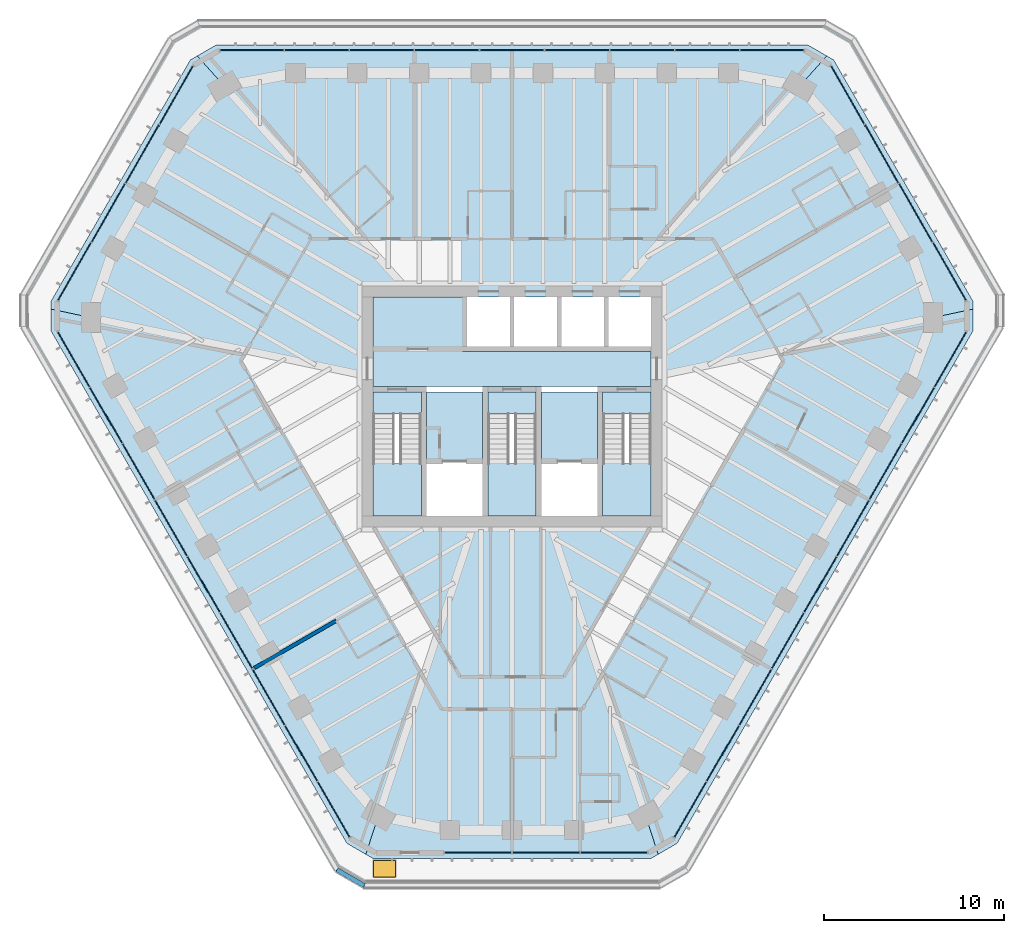
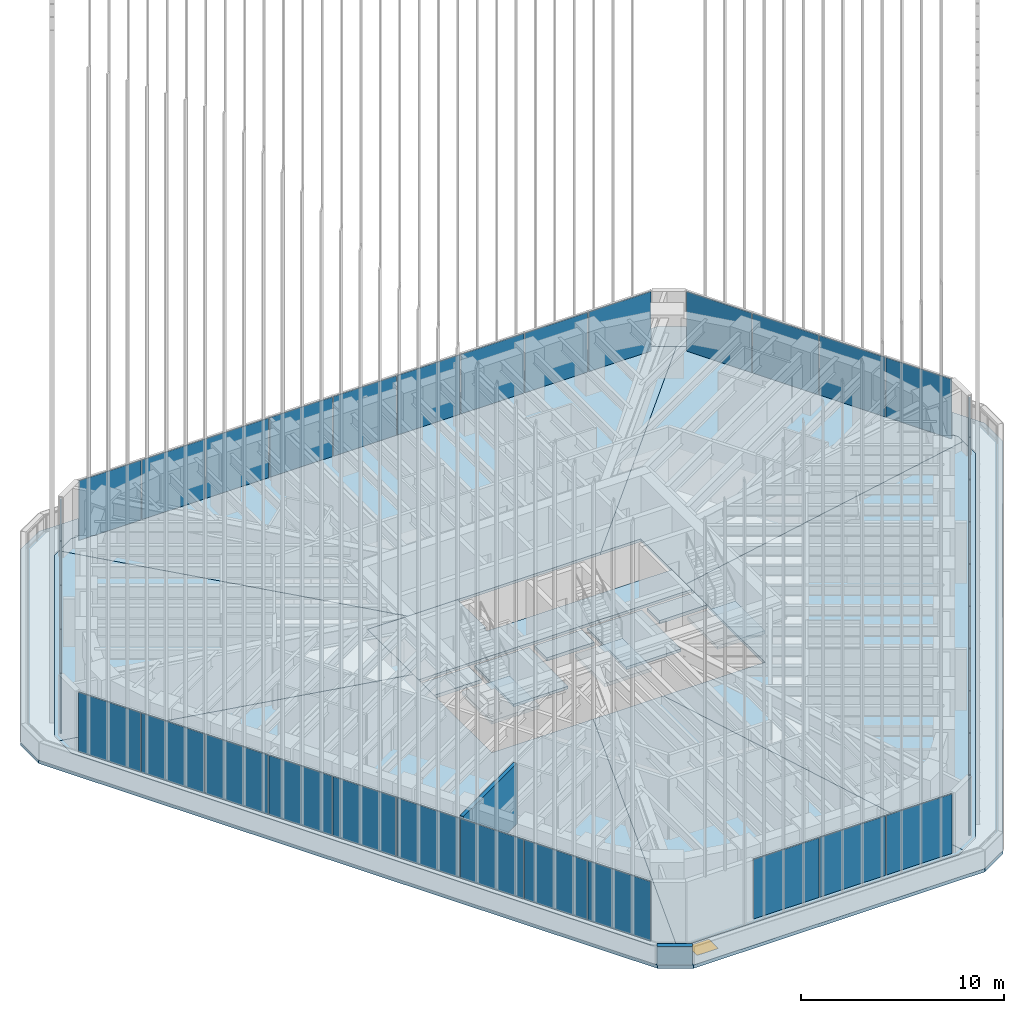
# One storey, part 119 of 127: 38 plates, 16 slabs, 2 walls, 1 window, 1 opening, 9 elements without a shape of their own.
"""IFC4 building model written with IfcOpenShell, lengths in metres."""

from ifc_helpers import new_model, si_unit, direction, frame, frame_2d, origin, origin_2d, place, context, subcontext, project, spatial, polyline, rectangle, outline, extrude, material, layer, layer_set, type_object, element, fill, aggregate, save


model = new_model("IFC4")

# Units and contexts
model_context = context("Model", 3, precision=1e-05, world=origin(), true_north=direction((0.0, 1.0)))
body_context = subcontext(model_context, "Body", "Model", "MODEL_VIEW")
ifc_project = project(units=[si_unit("LENGTHUNIT", "METRE"), si_unit("AREAUNIT", "SQUARE_METRE"), si_unit("VOLUMEUNIT", "CUBIC_METRE"), si_unit("PLANEANGLEUNIT", "RADIAN"), si_unit("MASSUNIT", "GRAM", prefix="KILO")], contexts=[model_context])

# Site, building, storey
site_placement = place(None, origin())
site = spatial("IfcSite", under=ifc_project, at=site_placement, CompositionType="ELEMENT")
building_placement = place(site_placement, origin())
building = spatial("IfcBuilding", under=site, at=building_placement, Name="Sandreach Pilgrim Tower", CompositionType="ELEMENT")
storey_placement = place(building_placement, frame((0.0, 0.0, 257.0)))
storey = spatial("IfcBuildingStorey", under=building, at=storey_placement, Name="L64", CompositionType="ELEMENT", Elevation=257.0)

# Curtain wall, plates
ifc_material_1 = material(Name="Aluminium framed curtain wall", Category="aluminium")
curtain_wall_type = type_object("IfcCurtainWallType", Name="Suite tower curtain wall", PredefinedType="NOTDEFINED", material=ifc_material_1)
curtain_wall_1_placement = place(storey_placement, origin())
curtain_wall_1 = element("IfcCurtainWall", 1, at=curtain_wall_1_placement, inside=storey, type_object=curtain_wall_type, Name="CW-4 L64 N", PredefinedType="NOTDEFINED")
ifc_material_2 = material(Name="Insulating glass unit 16.76 laminated + 24 argon + 16.76 laminated", Category="glass")
ifc_layer_1 = layer(ifc_material_2, 0.05810546875)
ifc_layer_set_1 = layer_set([ifc_layer_1], Name="CW-4 panel")
plate_type = type_object("IfcPlateType", Name="CW-4 panel", PredefinedType="CURTAIN_PANEL", material=ifc_layer_set_1)
plate_1_placement = place(storey_placement, frame((-14.472412109375, 19.826416015625, 0.0), z_axis=(0.0, 0.0, 1.0), x_axis=(1.0, 0.0, 0.0)))
plate_1 = element("IfcPlate", 2, at=plate_1_placement, type_object=plate_type, Name="CW-4 panel 1", PredefinedType="CURTAIN_PANEL", context=body_context, shape_type="SweptSolid", body=[
    extrude(rectangle(XDim=3.531982421875, YDim=0.05810546875, at=origin_2d()), origin(), (0.0, 0.0, 1.0), 3.570068359375),
])
plate_2_placement = place(storey_placement, frame((-10.865478515625, 19.826416015625, 0.0), z_axis=(0.0, 0.0, 1.0), x_axis=(1.0, 0.0, 0.0)))
plate_2 = element("IfcPlate", 3, at=plate_2_placement, type_object=plate_type, Name="CW-4 panel 2", PredefinedType="CURTAIN_PANEL", context=body_context, shape_type="SweptSolid", body=[
    extrude(rectangle(XDim=3.561767578125, YDim=0.05810546875, at=origin_2d()), origin(), (0.0, 0.0, 1.0), 3.570068359375),
])
plate_3_placement = place(storey_placement, frame((-7.24365234375, 19.826416015625, 0.0), z_axis=(0.0, 0.0, 1.0), x_axis=(1.0, 0.0, 0.0)))
plate_3 = element("IfcPlate", 4, at=plate_3_placement, type_object=plate_type, Name="CW-4 panel 3", PredefinedType="CURTAIN_PANEL", context=body_context, shape_type="SweptSolid", body=[
    extrude(rectangle(XDim=3.561767578125, YDim=0.05810546875, at=origin_2d()), origin(), (0.0, 0.0, 1.0), 3.570068359375),
])
plate_4_placement = place(storey_placement, frame((-3.621826171875, 19.826416015625, 0.0), z_axis=(0.0, 0.0, 1.0), x_axis=(1.0, 0.0, 0.0)))
plate_4 = element("IfcPlate", 5, at=plate_4_placement, type_object=plate_type, Name="CW-4 panel 4", PredefinedType="CURTAIN_PANEL", context=body_context, shape_type="SweptSolid", body=[
    extrude(rectangle(XDim=3.561767578125, YDim=0.05810546875, at=origin_2d()), origin(), (0.0, 0.0, 1.0), 3.570068359375),
])
plate_5_placement = place(storey_placement, frame((0.0, 19.826416015625, 0.0), z_axis=(0.0, 0.0, 1.0), x_axis=(1.0, 0.0, 0.0)))
plate_5 = element("IfcPlate", 6, at=plate_5_placement, type_object=plate_type, Name="CW-4 panel 5", PredefinedType="CURTAIN_PANEL", context=body_context, shape_type="SweptSolid", body=[
    extrude(rectangle(XDim=3.561767578125, YDim=0.05810546875, at=origin_2d()), origin(), (0.0, 0.0, 1.0), 3.570068359375),
])
plate_6_placement = place(storey_placement, frame((3.621826171875, 19.826416015625, 0.0), z_axis=(0.0, 0.0, 1.0), x_axis=(1.0, 0.0, 0.0)))
plate_6 = element("IfcPlate", 7, at=plate_6_placement, type_object=plate_type, Name="CW-4 panel 6", PredefinedType="CURTAIN_PANEL", context=body_context, shape_type="SweptSolid", body=[
    extrude(rectangle(XDim=3.561767578125, YDim=0.05810546875, at=origin_2d()), origin(), (0.0, 0.0, 1.0), 3.570068359375),
])
plate_7_placement = place(storey_placement, frame((7.24365234375, 19.826416015625, 0.0), z_axis=(0.0, 0.0, 1.0), x_axis=(1.0, 0.0, 0.0)))
plate_7 = element("IfcPlate", 8, at=plate_7_placement, type_object=plate_type, Name="CW-4 panel 7", PredefinedType="CURTAIN_PANEL", context=body_context, shape_type="SweptSolid", body=[
    extrude(rectangle(XDim=3.561767578125, YDim=0.05810546875, at=origin_2d()), origin(), (0.0, 0.0, 1.0), 3.570068359375),
])
plate_8_placement = place(storey_placement, frame((10.865478515625, 19.826416015625, 0.0), z_axis=(0.0, 0.0, 1.0), x_axis=(1.0, 0.0, 0.0)))
plate_8 = element("IfcPlate", 9, at=plate_8_placement, type_object=plate_type, Name="CW-4 panel 8", PredefinedType="CURTAIN_PANEL", context=body_context, shape_type="SweptSolid", body=[
    extrude(rectangle(XDim=3.561767578125, YDim=0.05810546875, at=origin_2d()), origin(), (0.0, 0.0, 1.0), 3.570068359375),
])
plate_9_placement = place(storey_placement, frame((14.472412109375, 19.826416015625, 0.0), z_axis=(0.0, 0.0, 1.0), x_axis=(1.0, 0.0, 0.0)))
plate_9 = element("IfcPlate", 10, at=plate_9_placement, type_object=plate_type, Name="CW-4 panel 9", PredefinedType="CURTAIN_PANEL", context=body_context, shape_type="SweptSolid", body=[
    extrude(rectangle(XDim=3.531982421875, YDim=0.05810546875, at=origin_2d()), origin(), (0.0, 0.0, 1.0), 3.570068359375),
])
aggregate(curtain_wall_1, [plate_1, plate_2, plate_3, plate_4, plate_5, plate_6, plate_7, plate_8, plate_9])

curtain_wall_2_placement = place(storey_placement, origin())
curtain_wall_2 = element("IfcCurtainWall", 11, at=curtain_wall_2_placement, inside=storey, type_object=curtain_wall_type, Name="CW-4 L64 NE", PredefinedType="NOTDEFINED")
plate_10_placement = place(storey_placement, frame((18.69140625, 17.341552734375, 0.0), z_axis=(0.0, 0.0, 1.0), x_axis=(0.5, -0.866025403784, 0.0)))
plate_10 = element("IfcPlate", 12, at=plate_10_placement, type_object=plate_type, Name="CW-4 panel 1", PredefinedType="CURTAIN_PANEL", context=body_context, shape_type="SweptSolid", body=[
    extrude(rectangle(XDim=3.70166015625, YDim=0.05810546875, at=origin_2d()), origin(), (0.0, 0.0, 1.0), 3.570068359375),
])
plate_11_placement = place(storey_placement, frame((20.579833984375, 14.07080078125, 0.0), z_axis=(0.0, 0.0, 1.0), x_axis=(0.5, -0.866025403784, 0.0)))
plate_11 = element("IfcPlate", 13, at=plate_11_placement, type_object=plate_type, Name="CW-4 panel 2", PredefinedType="CURTAIN_PANEL", context=body_context, shape_type="SweptSolid", body=[
    extrude(rectangle(XDim=3.731689453125, YDim=0.05810546875, at=origin_2d()), origin(), (0.0, 0.0, 1.0), 3.570068359375),
])
plate_12_placement = place(storey_placement, frame((22.4755859375, 10.787109375, 0.0), z_axis=(0.0, 0.0, 1.0), x_axis=(0.5, -0.866025403784, 0.0)))
plate_12 = element("IfcPlate", 14, at=plate_12_placement, type_object=plate_type, Name="CW-4 panel 3", PredefinedType="CURTAIN_PANEL", context=body_context, shape_type="SweptSolid", body=[
    extrude(rectangle(XDim=3.731689453125, YDim=0.05810546875, at=origin_2d()), origin(), (0.0, 0.0, 1.0), 3.570068359375),
])
plate_13_placement = place(storey_placement, frame((24.364013671875, 7.516357421875, 0.0), z_axis=(0.0, 0.0, 1.0), x_axis=(0.5, -0.866025403784, 0.0)))
plate_13 = element("IfcPlate", 15, at=plate_13_placement, type_object=plate_type, Name="CW-4 panel 4", PredefinedType="CURTAIN_PANEL", context=body_context, shape_type="SweptSolid", body=[
    extrude(rectangle(XDim=3.70166015625, YDim=0.05810546875, at=origin_2d()), origin(), (0.0, 0.0, 1.0), 3.570068359375),
])
aggregate(curtain_wall_2, [plate_10, plate_11, plate_12, plate_13])

curtain_wall_3_placement = place(storey_placement, origin())
curtain_wall_3 = element("IfcCurtainWall", 16, at=curtain_wall_3_placement, inside=storey, type_object=curtain_wall_type, Name="CW-4 L64 SE", PredefinedType="NOTDEFINED")
plate_14_placement = place(storey_placement, frame((24.406494140625, 2.620361328125, 0.0), z_axis=(0.0, 0.0, 1.0), x_axis=(-0.5, -0.866025403784, 0.0)))
plate_14 = element("IfcPlate", 17, at=plate_14_placement, type_object=plate_type, Name="CW-4 panel 1", PredefinedType="CURTAIN_PANEL", context=body_context, shape_type="SweptSolid", body=[
    extrude(rectangle(XDim=3.531982421875, YDim=0.05810546875, at=origin_2d()), origin(), (0.0, 0.0, 1.0), 3.570068359375),
])
plate_15_placement = place(storey_placement, frame((22.60302734375, -0.50341796875, 0.0), z_axis=(0.0, 0.0, 1.0), x_axis=(-0.5, -0.866025403784, 0.0)))
plate_15 = element("IfcPlate", 18, at=plate_15_placement, type_object=plate_type, Name="CW-4 panel 2", PredefinedType="CURTAIN_PANEL", context=body_context, shape_type="SweptSolid", body=[
    extrude(rectangle(XDim=3.561767578125, YDim=0.05810546875, at=origin_2d()), origin(), (0.0, 0.0, 1.0), 3.570068359375),
])
plate_16_placement = place(storey_placement, frame((20.7919921875, -3.639892578125, 0.0), z_axis=(0.0, 0.0, 1.0), x_axis=(-0.5, -0.866025403784, 0.0)))
plate_16 = element("IfcPlate", 19, at=plate_16_placement, type_object=plate_type, Name="CW-4 panel 3", PredefinedType="CURTAIN_PANEL", context=body_context, shape_type="SweptSolid", body=[
    extrude(rectangle(XDim=3.561767578125, YDim=0.05810546875, at=origin_2d()), origin(), (0.0, 0.0, 1.0), 3.570068359375),
])
plate_17_placement = place(storey_placement, frame((18.981201171875, -6.776611328125, 0.0), z_axis=(0.0, 0.0, 1.0), x_axis=(-0.5, -0.866025403784, 0.0)))
plate_17 = element("IfcPlate", 20, at=plate_17_placement, type_object=plate_type, Name="CW-4 panel 4", PredefinedType="CURTAIN_PANEL", context=body_context, shape_type="SweptSolid", body=[
    extrude(rectangle(XDim=3.561767578125, YDim=0.05810546875, at=origin_2d()), origin(), (0.0, 0.0, 1.0), 3.570068359375),
])
plate_18_placement = place(storey_placement, frame((17.170166015625, -9.913330078125, 0.0), z_axis=(0.0, 0.0, 1.0), x_axis=(-0.5, -0.866025403784, 0.0)))
plate_18 = element("IfcPlate", 21, at=plate_18_placement, type_object=plate_type, Name="CW-4 panel 5", PredefinedType="CURTAIN_PANEL", context=body_context, shape_type="SweptSolid", body=[
    extrude(rectangle(XDim=3.561767578125, YDim=0.05810546875, at=origin_2d()), origin(), (0.0, 0.0, 1.0), 3.570068359375),
])
plate_19_placement = place(storey_placement, frame((15.359375, -13.0498046875, 0.0), z_axis=(0.0, 0.0, 1.0), x_axis=(-0.5, -0.866025403784, 0.0)))
plate_19 = element("IfcPlate", 22, at=plate_19_placement, type_object=plate_type, Name="CW-4 panel 6", PredefinedType="CURTAIN_PANEL", context=body_context, shape_type="SweptSolid", body=[
    extrude(rectangle(XDim=3.561767578125, YDim=0.05810546875, at=origin_2d()), origin(), (0.0, 0.0, 1.0), 3.570068359375),
])
plate_20_placement = place(storey_placement, frame((13.54833984375, -16.1865234375, 0.0), z_axis=(0.0, 0.0, 1.0), x_axis=(-0.5, -0.866025403784, 0.0)))
plate_20 = element("IfcPlate", 23, at=plate_20_placement, type_object=plate_type, Name="CW-4 panel 7", PredefinedType="CURTAIN_PANEL", context=body_context, shape_type="SweptSolid", body=[
    extrude(rectangle(XDim=3.561767578125, YDim=0.05810546875, at=origin_2d()), origin(), (0.0, 0.0, 1.0), 3.570068359375),
])
plate_21_placement = place(storey_placement, frame((11.7373046875, -19.322998046875, 0.0), z_axis=(0.0, 0.0, 1.0), x_axis=(-0.5, -0.866025403784, 0.0)))
plate_21 = element("IfcPlate", 24, at=plate_21_placement, type_object=plate_type, Name="CW-4 panel 8", PredefinedType="CURTAIN_PANEL", context=body_context, shape_type="SweptSolid", body=[
    extrude(rectangle(XDim=3.561767578125, YDim=0.05810546875, at=origin_2d()), origin(), (0.0, 0.0, 1.0), 3.570068359375),
])
plate_22_placement = place(storey_placement, frame((9.93408203125, -22.44677734375, 0.0), z_axis=(0.0, 0.0, 1.0), x_axis=(-0.5, -0.866025403784, 0.0)))
plate_22 = element("IfcPlate", 25, at=plate_22_placement, type_object=plate_type, Name="CW-4 panel 9", PredefinedType="CURTAIN_PANEL", context=body_context, shape_type="SweptSolid", body=[
    extrude(rectangle(XDim=3.531982421875, YDim=0.05810546875, at=origin_2d()), origin(), (0.0, 0.0, 1.0), 3.570068359375),
])
aggregate(curtain_wall_3, [plate_14, plate_15, plate_16, plate_17, plate_18, plate_19, plate_20, plate_21, plate_22])

curtain_wall_4_placement = place(storey_placement, origin())
curtain_wall_4 = element("IfcCurtainWall", 26, at=curtain_wall_4_placement, inside=storey, type_object=curtain_wall_type, Name="CW-4 L64 SA", PredefinedType="NOTDEFINED")
plate_23_placement = place(storey_placement, frame((5.672607421875, -24.858154296875, 0.0), z_axis=(0.0, 0.0, 1.0), x_axis=(-1.0, 0.0, 0.0)))
plate_23 = element("IfcPlate", 27, at=plate_23_placement, type_object=plate_type, Name="CW-4 panel 1", PredefinedType="CURTAIN_PANEL", context=body_context, shape_type="SweptSolid", body=[
    extrude(rectangle(XDim=3.70166015625, YDim=0.05810546875, at=origin_2d()), origin(), (0.0, 0.0, 1.0), 3.570068359375),
])
plate_24_placement = place(storey_placement, frame((1.895751953125, -24.858154296875, 0.0), z_axis=(0.0, 0.0, 1.0), x_axis=(-1.0, 0.0, 0.0)))
plate_24 = element("IfcPlate", 28, at=plate_24_placement, type_object=plate_type, Name="CW-4 panel 2", PredefinedType="CURTAIN_PANEL", context=body_context, shape_type="SweptSolid", body=[
    extrude(rectangle(XDim=3.731689453125, YDim=0.05810546875, at=origin_2d()), origin(), (0.0, 0.0, 1.0), 3.570068359375),
])
plate_25_placement = place(storey_placement, frame((-1.880859375, -24.858154296875, 0.0), z_axis=(0.0, 0.0, 1.0), x_axis=(-1.0, 0.0, 0.0)))
plate_25 = element("IfcPlate", 29, at=plate_25_placement, type_object=plate_type, Name="CW-4 panel 3", PredefinedType="CURTAIN_PANEL", context=body_context, shape_type="SweptSolid", body=[
    extrude(rectangle(XDim=3.70166015625, YDim=0.05810546875, at=origin_2d()), origin(), (0.0, 0.0, 1.0), 3.570068359375),
])
aggregate(curtain_wall_4, [plate_23, plate_24, plate_25])

curtain_wall_5_placement = place(storey_placement, origin())
curtain_wall_5 = element("IfcCurtainWall", 30, at=curtain_wall_5_placement, inside=storey, type_object=curtain_wall_type, Name="CW-4 L64 SW", PredefinedType="NOTDEFINED")
plate_26_placement = place(storey_placement, frame((-9.93408203125, -22.44677734375, 0.0), z_axis=(0.0, 0.0, 1.0), x_axis=(-0.5, 0.866025403784, 0.0)))
plate_26 = element("IfcPlate", 31, at=plate_26_placement, type_object=plate_type, Name="CW-4 panel 1", PredefinedType="CURTAIN_PANEL", context=body_context, shape_type="SweptSolid", body=[
    extrude(rectangle(XDim=3.531982421875, YDim=0.05810546875, at=origin_2d()), origin(), (0.0, 0.0, 1.0), 3.570068359375),
])
plate_27_placement = place(storey_placement, frame((-11.7373046875, -19.322998046875, 0.0), z_axis=(0.0, 0.0, 1.0), x_axis=(-0.5, 0.866025403784, 0.0)))
plate_27 = element("IfcPlate", 32, at=plate_27_placement, type_object=plate_type, Name="CW-4 panel 2", PredefinedType="CURTAIN_PANEL", context=body_context, shape_type="SweptSolid", body=[
    extrude(rectangle(XDim=3.561767578125, YDim=0.05810546875, at=origin_2d()), origin(), (0.0, 0.0, 1.0), 3.570068359375),
])
plate_28_placement = place(storey_placement, frame((-13.54833984375, -16.1865234375, 0.0), z_axis=(0.0, 0.0, 1.0), x_axis=(-0.5, 0.866025403784, 0.0)))
plate_28 = element("IfcPlate", 33, at=plate_28_placement, type_object=plate_type, Name="CW-4 panel 3", PredefinedType="CURTAIN_PANEL", context=body_context, shape_type="SweptSolid", body=[
    extrude(rectangle(XDim=3.561767578125, YDim=0.05810546875, at=origin_2d()), origin(), (0.0, 0.0, 1.0), 3.570068359375),
])
plate_29_placement = place(storey_placement, frame((-15.359375, -13.0498046875, 0.0), z_axis=(0.0, 0.0, 1.0), x_axis=(-0.5, 0.866025403784, 0.0)))
plate_29 = element("IfcPlate", 34, at=plate_29_placement, type_object=plate_type, Name="CW-4 panel 4", PredefinedType="CURTAIN_PANEL", context=body_context, shape_type="SweptSolid", body=[
    extrude(rectangle(XDim=3.561767578125, YDim=0.05810546875, at=origin_2d()), origin(), (0.0, 0.0, 1.0), 3.570068359375),
])
plate_30_placement = place(storey_placement, frame((-17.170166015625, -9.913330078125, 0.0), z_axis=(0.0, 0.0, 1.0), x_axis=(-0.5, 0.866025403784, 0.0)))
plate_30 = element("IfcPlate", 35, at=plate_30_placement, type_object=plate_type, Name="CW-4 panel 5", PredefinedType="CURTAIN_PANEL", context=body_context, shape_type="SweptSolid", body=[
    extrude(rectangle(XDim=3.561767578125, YDim=0.05810546875, at=origin_2d()), origin(), (0.0, 0.0, 1.0), 3.570068359375),
])
plate_31_placement = place(storey_placement, frame((-18.981201171875, -6.776611328125, 0.0), z_axis=(0.0, 0.0, 1.0), x_axis=(-0.5, 0.866025403784, 0.0)))
plate_31 = element("IfcPlate", 36, at=plate_31_placement, type_object=plate_type, Name="CW-4 panel 6", PredefinedType="CURTAIN_PANEL", context=body_context, shape_type="SweptSolid", body=[
    extrude(rectangle(XDim=3.561767578125, YDim=0.05810546875, at=origin_2d()), origin(), (0.0, 0.0, 1.0), 3.570068359375),
])
plate_32_placement = place(storey_placement, frame((-20.7919921875, -3.639892578125, 0.0), z_axis=(0.0, 0.0, 1.0), x_axis=(-0.5, 0.866025403784, 0.0)))
plate_32 = element("IfcPlate", 37, at=plate_32_placement, type_object=plate_type, Name="CW-4 panel 7", PredefinedType="CURTAIN_PANEL", context=body_context, shape_type="SweptSolid", body=[
    extrude(rectangle(XDim=3.561767578125, YDim=0.05810546875, at=origin_2d()), origin(), (0.0, 0.0, 1.0), 3.570068359375),
])
plate_33_placement = place(storey_placement, frame((-22.60302734375, -0.50341796875, 0.0), z_axis=(0.0, 0.0, 1.0), x_axis=(-0.5, 0.866025403784, 0.0)))
plate_33 = element("IfcPlate", 38, at=plate_33_placement, type_object=plate_type, Name="CW-4 panel 8", PredefinedType="CURTAIN_PANEL", context=body_context, shape_type="SweptSolid", body=[
    extrude(rectangle(XDim=3.561767578125, YDim=0.05810546875, at=origin_2d()), origin(), (0.0, 0.0, 1.0), 3.570068359375),
])
plate_34_placement = place(storey_placement, frame((-24.406494140625, 2.620361328125, 0.0), z_axis=(0.0, 0.0, 1.0), x_axis=(-0.5, 0.866025403784, 0.0)))
plate_34 = element("IfcPlate", 39, at=plate_34_placement, type_object=plate_type, Name="CW-4 panel 9", PredefinedType="CURTAIN_PANEL", context=body_context, shape_type="SweptSolid", body=[
    extrude(rectangle(XDim=3.531982421875, YDim=0.05810546875, at=origin_2d()), origin(), (0.0, 0.0, 1.0), 3.570068359375),
])
aggregate(curtain_wall_5, [plate_26, plate_27, plate_28, plate_29, plate_30, plate_31, plate_32, plate_33, plate_34])

curtain_wall_6_placement = place(storey_placement, origin())
curtain_wall_6 = element("IfcCurtainWall", 40, at=curtain_wall_6_placement, inside=storey, type_object=curtain_wall_type, Name="CW-4 L64 NW", PredefinedType="NOTDEFINED")
plate_35_placement = place(storey_placement, frame((-24.364013671875, 7.516357421875, 0.0), z_axis=(0.0, 0.0, 1.0), x_axis=(0.5, 0.866025403784, 0.0)))
plate_35 = element("IfcPlate", 41, at=plate_35_placement, type_object=plate_type, Name="CW-4 panel 1", PredefinedType="CURTAIN_PANEL", context=body_context, shape_type="SweptSolid", body=[
    extrude(rectangle(XDim=3.70166015625, YDim=0.05810546875, at=origin_2d()), origin(), (0.0, 0.0, 1.0), 3.570068359375),
])
plate_36_placement = place(storey_placement, frame((-22.4755859375, 10.787109375, 0.0), z_axis=(0.0, 0.0, 1.0), x_axis=(0.5, 0.866025403784, 0.0)))
plate_36 = element("IfcPlate", 42, at=plate_36_placement, type_object=plate_type, Name="CW-4 panel 2", PredefinedType="CURTAIN_PANEL", context=body_context, shape_type="SweptSolid", body=[
    extrude(rectangle(XDim=3.731689453125, YDim=0.05810546875, at=origin_2d()), origin(), (0.0, 0.0, 1.0), 3.570068359375),
])
plate_37_placement = place(storey_placement, frame((-20.579833984375, 14.07080078125, 0.0), z_axis=(0.0, 0.0, 1.0), x_axis=(0.5, 0.866025403784, 0.0)))
plate_37 = element("IfcPlate", 43, at=plate_37_placement, type_object=plate_type, Name="CW-4 panel 3", PredefinedType="CURTAIN_PANEL", context=body_context, shape_type="SweptSolid", body=[
    extrude(rectangle(XDim=3.731689453125, YDim=0.05810546875, at=origin_2d()), origin(), (0.0, 0.0, 1.0), 3.570068359375),
])
plate_38_placement = place(storey_placement, frame((-18.69140625, 17.341552734375, 0.0), z_axis=(0.0, 0.0, 1.0), x_axis=(0.5, 0.866025403784, 0.0)))
plate_38 = element("IfcPlate", 44, at=plate_38_placement, type_object=plate_type, Name="CW-4 panel 4", PredefinedType="CURTAIN_PANEL", context=body_context, shape_type="SweptSolid", body=[
    extrude(rectangle(XDim=3.70166015625, YDim=0.05810546875, at=origin_2d()), origin(), (0.0, 0.0, 1.0), 3.570068359375),
])
aggregate(curtain_wall_6, [plate_35, plate_36, plate_37, plate_38])

# Slabs
ifc_material_3 = material(Name="Concrete 8000 psi", Category="concrete")
ifc_layer_2 = layer(ifc_material_3, 0.159912109375)
ifc_layer_set_2 = layer_set([ifc_layer_2], Name="Composite floor slab 160")
slab_type_1 = type_object("IfcSlabType", Name="Composite floor slab 160", PredefinedType="FLOOR", material=ifc_layer_set_2)
slab_1_placement = place(storey_placement, frame((0.0, 0.0, -0.159912109375)))
element("IfcSlab", 45, at=slab_1_placement, inside=storey, type_object=slab_type_1, Name="Floor slab L64 N sector", PredefinedType="FLOOR", context=body_context, shape_type="SweptSolid", body=[
    extrude(outline(polyline([(-16.4716796875, 20.12646484375), (16.4716796875, 20.12646484375), (17.52587890625, 19.517822265625), (5.477294921875, 6.10009765625), (-5.477294921875, 6.10009765625), (-17.52587890625, 19.517822265625), (-16.4716796875, 20.12646484375)])), origin(), (0.0, 0.0, 1.0), 0.159912109375),
])
slab_2_placement = place(storey_placement, frame((0.0, 0.0, -0.159912109375)))
element("IfcSlab", 46, at=slab_2_placement, inside=storey, type_object=slab_type_1, Name="Floor slab L64 NE sector", PredefinedType="FLOOR", context=body_context, shape_type="SweptSolid", body=[
    extrude(outline(polyline([(17.9091796875, 19.29638671875), (25.665771484375, 5.861572265625), (25.665771484375, 5.4189453125), (7.75, 1.63623046875), (7.75, 6.10009765625), (5.477294921875, 6.10009765625), (17.52587890625, 19.517822265625), (17.9091796875, 19.29638671875)])), origin(), (0.0, 0.0, 1.0), 0.159912109375),
])
slab_3_placement = place(storey_placement, frame((0.0, 0.0, -0.159912109375)))
element("IfcSlab", 47, at=slab_3_placement, inside=storey, type_object=slab_type_1, Name="Floor slab L64 SE sector", PredefinedType="FLOOR", context=body_context, shape_type="SweptSolid", body=[
    extrude(outline(polyline([(25.665771484375, 4.20166015625), (9.194091796875, -24.327880859375), (8.139892578125, -24.936767578125), (1.9912109375, -6.10009765625), (7.75, -6.10009765625), (7.75, 1.63623046875), (25.665771484375, 5.4189453125), (25.665771484375, 4.20166015625)])), origin(), (0.0, 0.0, 1.0), 0.159912109375),
])
slab_4_placement = place(storey_placement, frame((0.0, 0.0, -0.159912109375)))
element("IfcSlab", 48, at=slab_4_placement, inside=storey, type_object=slab_type_1, Name="Floor slab L64 S sector", PredefinedType="FLOOR", context=body_context, shape_type="SweptSolid", body=[
    extrude(outline(polyline([(7.756591796875, -25.157958984375), (-7.756591796875, -25.157958984375), (-8.139892578125, -24.936767578125), (-1.9912109375, -6.10009765625), (1.9912109375, -6.10009765625), (8.139892578125, -24.936767578125), (7.756591796875, -25.157958984375)])), origin(), (0.0, 0.0, 1.0), 0.159912109375),
])
slab_5_placement = place(storey_placement, frame((0.0, 0.0, -0.159912109375)))
element("IfcSlab", 49, at=slab_5_placement, inside=storey, type_object=slab_type_1, Name="Floor slab L64 SW sector", PredefinedType="FLOOR", context=body_context, shape_type="SweptSolid", body=[
    extrude(outline(polyline([(-9.194091796875, -24.327880859375), (-25.665771484375, 4.20166015625), (-25.665771484375, 5.4189453125), (-7.75, 1.63623046875), (-7.75, -6.10009765625), (-1.9912109375, -6.10009765625), (-8.139892578125, -24.936767578125), (-9.194091796875, -24.327880859375)])), origin(), (0.0, 0.0, 1.0), 0.159912109375),
])
slab_6_placement = place(storey_placement, frame((0.0, 0.0, -0.159912109375)))
element("IfcSlab", 50, at=slab_6_placement, inside=storey, type_object=slab_type_1, Name="Floor slab L64 NW sector", PredefinedType="FLOOR", context=body_context, shape_type="SweptSolid", body=[
    extrude(outline(polyline([(-25.665771484375, 5.861572265625), (-17.9091796875, 19.29638671875), (-17.52587890625, 19.517822265625), (-5.477294921875, 6.10009765625), (-7.75, 6.10009765625), (-7.75, 1.63623046875), (-25.665771484375, 5.4189453125), (-25.665771484375, 5.861572265625)])), origin(), (0.0, 0.0, 1.0), 0.159912109375),
])
slab_7_placement = place(storey_placement, frame((0.0, 0.0, -0.159912109375)))
element("IfcSlab", 51, at=slab_7_placement, inside=storey, type_object=slab_type_1, Name="Core floor slab L64", PredefinedType="FLOOR", context=body_context, shape_type="SweptSolid", body=[
    extrude(outline(polyline([(-2.75, 3.35009765625), (-2.75, 3.050048828125), (-0.125, 3.050048828125), (0.125, 3.050048828125), (2.5, 3.050048828125), (2.75, 3.050048828125), (5.125, 3.050048828125), (5.375, 3.050048828125), (7.75, 3.050048828125), (7.75, 1.10009765625), (5.050048828125, 1.10009765625), (4.75, 1.10009765625), (1.64990234375, 1.10009765625), (1.35009765625, 1.10009765625), (-1.35009765625, 1.10009765625), (-1.64990234375, 1.10009765625), (-4.75, 1.10009765625), (-5.050048828125, 1.10009765625), (-7.75, 1.10009765625), (-7.75, 6.10009765625), (-2.64990234375, 6.10009765625), (-2.64990234375, 3.35009765625), (-2.75, 3.35009765625)])), origin(), (0.0, 0.0, 1.0), 0.159912109375),
])
slab_8_placement = place(storey_placement, frame((0.0, 0.0, -0.159912109375)))
element("IfcSlab", 52, at=slab_8_placement, inside=storey, type_object=slab_type_1, Name="Core floor slab L64 2", PredefinedType="FLOOR", context=body_context, shape_type="SweptSolid", body=[
    extrude(outline(polyline([(-1.64990234375, -3.050048828125), (-4.75, -3.050048828125), (-4.75, 0.800048828125), (-1.64990234375, 0.800048828125), (-1.64990234375, -3.050048828125)])), origin(), (0.0, 0.0, 1.0), 0.159912109375),
])
slab_9_placement = place(storey_placement, frame((0.0, 0.0, -0.159912109375)))
element("IfcSlab", 53, at=slab_9_placement, inside=storey, type_object=slab_type_1, Name="Core floor slab L64 3", PredefinedType="FLOOR", context=body_context, shape_type="SweptSolid", body=[
    extrude(outline(polyline([(4.75, -3.050048828125), (1.64990234375, -3.050048828125), (1.64990234375, 0.800048828125), (4.75, 0.800048828125), (4.75, -3.050048828125)])), origin(), (0.0, 0.0, 1.0), 0.159912109375),
])

# Stair, slabs
ifc_material_4 = material(Name="Concrete 8000 psi", Category="concrete")
stair_type = type_object("IfcStairType", Name="Core exit stair", PredefinedType="HALF_TURN_STAIR", material=ifc_material_4)
stair_1_placement = place(storey_placement, origin())
stair_1 = element("IfcStair", 54, at=stair_1_placement, inside=storey, type_object=stair_type, Name="Exit stair ST1 L64", PredefinedType="HALF_TURN_STAIR")
ifc_material_5 = material(Name="Concrete 8000 psi", Category="concrete")
ifc_layer_3 = layer(ifc_material_5, 0.199951171875)
ifc_layer_set_3 = layer_set([ifc_layer_3], Name="Core stair landing 200")
slab_type_2 = type_object("IfcSlabType", Name="Core stair landing 200", PredefinedType="LANDING", material=ifc_layer_set_3)
slab_10_placement = place(storey_placement, frame((0.0, 0.0, -0.199951171875)))
slab_10 = element("IfcSlab", 55, at=slab_10_placement, type_object=slab_type_2, Name="ST1 landing 1", PredefinedType="LANDING", context=body_context, shape_type="SweptSolid", body=[
    extrude(outline(polyline([(-7.75, -0.425048828125), (-5.050048828125, -0.425048828125), (-5.050048828125, 0.800048828125), (-7.75, 0.800048828125), (-7.75, -0.425048828125)])), origin(), (0.0, 0.0, 1.0), 0.199951171875),
])
slab_11_placement = place(storey_placement, frame((0.0, 0.0, 1.699951171875)))
slab_11 = element("IfcSlab", 56, at=slab_11_placement, type_object=slab_type_2, Name="ST1 landing 2", PredefinedType="LANDING", context=body_context, shape_type="SweptSolid", body=[
    extrude(outline(polyline([(-7.75, -6.10009765625), (-5.050048828125, -6.10009765625), (-5.050048828125, -3.175048828125), (-7.75, -3.175048828125), (-7.75, -6.10009765625)])), origin(), (0.0, 0.0, 1.0), 0.199951171875),
])
aggregate(stair_1, [slab_10, slab_11])

stair_2_placement = place(storey_placement, origin())
stair_2 = element("IfcStair", 57, at=stair_2_placement, inside=storey, type_object=stair_type, Name="Exit stair ST3 L64", PredefinedType="HALF_TURN_STAIR")
slab_12_placement = place(storey_placement, frame((0.0, 0.0, -0.199951171875)))
slab_12 = element("IfcSlab", 58, at=slab_12_placement, type_object=slab_type_2, Name="ST3 landing 1", PredefinedType="LANDING", context=body_context, shape_type="SweptSolid", body=[
    extrude(outline(polyline([(-1.35009765625, -0.425048828125), (1.35009765625, -0.425048828125), (1.35009765625, 0.800048828125), (-1.35009765625, 0.800048828125), (-1.35009765625, -0.425048828125)])), origin(), (0.0, 0.0, 1.0), 0.199951171875),
])
slab_13_placement = place(storey_placement, frame((0.0, 0.0, 1.699951171875)))
slab_13 = element("IfcSlab", 59, at=slab_13_placement, type_object=slab_type_2, Name="ST3 landing 2", PredefinedType="LANDING", context=body_context, shape_type="SweptSolid", body=[
    extrude(outline(polyline([(-1.35009765625, -6.10009765625), (1.35009765625, -6.10009765625), (1.35009765625, -3.175048828125), (-1.35009765625, -3.175048828125), (-1.35009765625, -6.10009765625)])), origin(), (0.0, 0.0, 1.0), 0.199951171875),
])
aggregate(stair_2, [slab_12, slab_13])

stair_3_placement = place(storey_placement, origin())
stair_3 = element("IfcStair", 60, at=stair_3_placement, inside=storey, type_object=stair_type, Name="Exit stair ST2 L64", PredefinedType="HALF_TURN_STAIR")
slab_14_placement = place(storey_placement, frame((0.0, 0.0, -0.199951171875)))
slab_14 = element("IfcSlab", 61, at=slab_14_placement, type_object=slab_type_2, Name="ST2 landing 1", PredefinedType="LANDING", context=body_context, shape_type="SweptSolid", body=[
    extrude(outline(polyline([(5.050048828125, -0.425048828125), (7.75, -0.425048828125), (7.75, 0.800048828125), (5.050048828125, 0.800048828125), (5.050048828125, -0.425048828125)])), origin(), (0.0, 0.0, 1.0), 0.199951171875),
])
slab_15_placement = place(storey_placement, frame((0.0, 0.0, 1.699951171875)))
slab_15 = element("IfcSlab", 62, at=slab_15_placement, type_object=slab_type_2, Name="ST2 landing 2", PredefinedType="LANDING", context=body_context, shape_type="SweptSolid", body=[
    extrude(outline(polyline([(5.050048828125, -6.10009765625), (7.75, -6.10009765625), (7.75, -3.175048828125), (5.050048828125, -3.175048828125), (5.050048828125, -6.10009765625)])), origin(), (0.0, 0.0, 1.0), 0.199951171875),
])
aggregate(stair_3, [slab_14, slab_15])

# Slab, opening, window
ifc_material_6 = material(Name="Concrete 8000 psi", Category="concrete")
ifc_layer_4 = layer(ifc_material_6, 0.199951171875)
ifc_layer_set_4 = layer_set([ifc_layer_4], Name="Setback roof slab 200")
slab_type_3 = type_object("IfcSlabType", Name="Setback roof slab 200", PredefinedType="ROOF", material=ifc_layer_set_4)
slab_16_placement = place(storey_placement, frame((0.0, 0.0, -0.199951171875)))
slab_16 = element("IfcSlab", 63, at=slab_16_placement, inside=storey, type_object=slab_type_3, Name="Setback maintenance roof L64", PredefinedType="ROOF", context=body_context, shape_type="SweptSolid", body=[
    extrude(outline(polyline([(-17.56298828125, 21.460205078125), (-19.095947265625, 20.5751953125), (-27.366455078125, 6.25), (-27.366455078125, 4.47998046875), (-9.803466796875, -25.940185546875), (-8.2705078125, -26.8251953125), (8.2705078125, -26.8251953125), (9.803466796875, -25.940185546875), (27.366455078125, 4.47998046875), (27.366455078125, 6.25), (19.095947265625, 20.5751953125), (17.56298828125, 21.460205078125), (-17.56298828125, 21.460205078125)]), holes=[polyline([(-16.4716796875, 20.12646484375), (-17.9091796875, 19.29638671875), (-25.665771484375, 5.861572265625), (-25.665771484375, 4.20166015625), (-9.194091796875, -24.328125), (-7.756591796875, -25.157958984375), (7.756591796875, -25.157958984375), (9.194091796875, -24.328125), (25.665771484375, 4.20166015625), (25.665771484375, 5.861572265625), (17.9091796875, 19.29638671875), (16.4716796875, 20.12646484375), (-16.4716796875, 20.12646484375)])]), origin(), (0.0, 0.0, 1.0), 0.199951171875),
])
opening_placement = place(slab_16_placement, frame((-7.10009765625, -25.738037109375, 0.0)))
opening = element("IfcOpeningElement", 64, at=opening_placement, cuts=slab_16, Name="Opening RH2", PredefinedType="OPENING", context=body_context, shape_type="SweptSolid", body=[
    extrude(rectangle(XDim=1.199951171875, YDim=0.89990234375, at=origin_2d()), origin(), (0.0, 0.0, 1.0), 0.199951171875),
])
ifc_material_7 = material(Name="Insulated aluminium roof hatch", Category="aluminium")
window_type = type_object("IfcWindowType", Name="Setback roof access hatch", PartitioningType="SINGLE_PANEL", PredefinedType="SKYLIGHT", material=ifc_material_7)
window_placement = place(opening_placement, frame((0.0, 0.0, 0.14990234375)))
window = element("IfcWindow", 65, at=window_placement, inside=storey, type_object=window_type, Name="Roof access hatch L64", OverallHeight=0.89990234375, OverallWidth=1.199951171875, PartitioningType="SINGLE_PANEL", PredefinedType="SKYLIGHT", context=body_context, shape_type="SweptSolid", body=[
    extrude(rectangle(XDim=1.199951171875, YDim=0.89990234375, at=origin_2d()), origin(), (0.0, 0.0, 1.0), 0.050048828125),
])
fill(opening, window)

# Walls
ifc_material_8 = material(Name="Double steel stud acoustic wall, gypsum board", Category="steel")
ifc_layer_5 = layer(ifc_material_8, 0.199951171875)
ifc_layer_set_5 = layer_set([ifc_layer_5], Name="Party wall 200")
wall_type_1 = type_object("IfcWallType", Name="Party wall 200", PredefinedType="PARTITIONING", material=ifc_layer_set_5)
wall_1_placement = place(storey_placement, frame((-14.34619140625, -14.56005859375, 0.0), z_axis=(0.0, 0.0, 1.0), x_axis=(0.8660557602, 0.49994741746, 0.0)))
element("IfcWall", 66, at=wall_1_placement, inside=storey, type_object=wall_type_1, Name="Party wall L64-016", PredefinedType="PARTITIONING", context=body_context, shape_type="SweptSolid", body=[
    extrude(rectangle(XDim=5.2607421875, YDim=0.199951171875, at=frame_2d((2.63037109375, 0.0))), origin(), (0.0, 0.0, 1.0), 3.639892578125),
])
ifc_material_9 = material(Name="Concrete parapet with terracotta coping", Category="masonry")
ifc_layer_6 = layer(ifc_material_9, 0.25)
ifc_layer_set_6 = layer_set([ifc_layer_6], Name="Setback parapet")
wall_type_2 = type_object("IfcWallType", Name="Setback parapet", PredefinedType="PARAPET", material=ifc_layer_set_6)
wall_2_placement = place(storey_placement, frame((-9.75048828125, -25.7998046875, 0.0), z_axis=(0.0, 0.0, 1.0), x_axis=(0.865508535391, -0.500894175615, 0.0)))
element("IfcWall", 67, at=wall_2_placement, inside=storey, type_object=wall_type_2, Name="Setback parapet L64 5", PredefinedType="PARAPET", context=body_context, shape_type="SweptSolid", body=[
    extrude(rectangle(XDim=1.760986328125, YDim=0.25, at=frame_2d((0.88037109375, 0.0))), origin(), (0.0, 0.0, 1.0), 1.10009765625),
])

save(model, "model.ifc")
